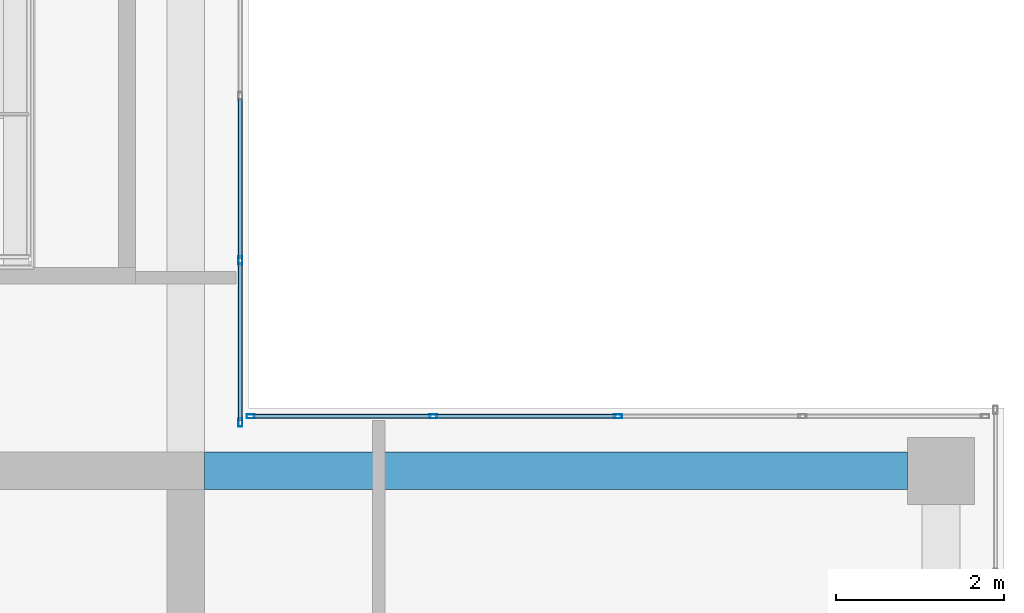
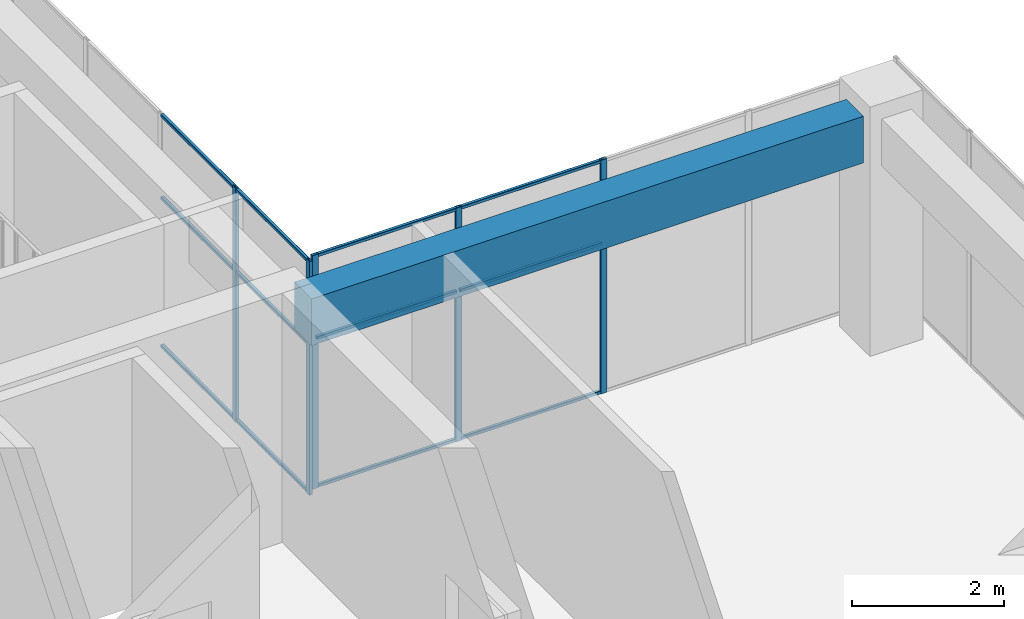
# One storey, part 30 of 55: 17 members, 1 beam, 2 elements without a shape of their own.
"""IFC4 building model written with IfcOpenShell, lengths in metres."""

from ifc_helpers import new_model, si_unit, direction, frame, origin, origin_2d, place, context, subcontext, project, spatial, rectangle, hollow_rectangle, extrude, material, layer, layer_set, material_profile, profile_set, type_object, element, aggregate, save


model = new_model("IFC4")

# Units and contexts
model_context = context("Model", 3, precision=1e-05, world=origin(), true_north=direction((0.0, 1.0)))
body_context = subcontext(model_context, "Body", "Model", "MODEL_VIEW")
ifc_project = project(units=[si_unit("LENGTHUNIT", "METRE"), si_unit("AREAUNIT", "SQUARE_METRE"), si_unit("VOLUMEUNIT", "CUBIC_METRE"), si_unit("PLANEANGLEUNIT", "RADIAN"), si_unit("MASSUNIT", "GRAM", prefix="KILO")], contexts=[model_context])

# Site, building, storey
site_placement = place(None, origin())
site = spatial("IfcSite", under=ifc_project, at=site_placement, CompositionType="ELEMENT")
building_placement = place(site_placement, origin())
building = spatial("IfcBuilding", under=site, at=building_placement, Name="Tuart Plaza Theatre", CompositionType="ELEMENT")
storey_placement = place(building_placement, frame((0.0, 0.0, 21.5)))
storey = spatial("IfcBuildingStorey", under=building, at=storey_placement, Name="L05", CompositionType="ELEMENT", Elevation=21.5)

# Beam
ifc_material_1 = material(Name="Concrete N40 (40 MPa)", Category="concrete")
ifc_material_profile_1 = material_profile(ifc_material_1, rectangle(XDim=0.449951171875, YDim=0.75, at=origin_2d()), Name="BEAM 450x750 Concrete N40 (40 MPa)")
ifc_profile_set_1 = profile_set([ifc_material_profile_1], Name="Concrete N40 (40 MPa)")
beam_type = type_object("IfcBeamType", Name="BEAM 450x750 Concrete N40 (40 MPa)", PredefinedType="BEAM", material=ifc_profile_set_1)
beam_placement = place(storey_placement, frame((141.22509765625, 83.0, 3.375), z_axis=(1.0, 0.0, 0.0), x_axis=(0.0, 1.0, 0.0)))
element("IfcBeam", 1, at=beam_placement, inside=storey, type_object=beam_type, Name="RB236", PredefinedType="BEAM", context=body_context, shape_type="SweptSolid", body=[
    extrude(rectangle(XDim=0.449951171875, YDim=0.75, at=origin_2d()), origin(), (0.0, 0.0, 1.0), 8.375),
])

# Curtain wall, members
ifc_material_2 = material(Name="Aluminium and glass", Category="aluminium")
ifc_layer = layer(ifc_material_2, 0.10009765625)
ifc_layer_set = layer_set([ifc_layer], Name="CURTAIN WALL 2000 module")
curtain_wall_type = type_object("IfcCurtainWallType", Name="CURTAIN WALL 2000 module", PredefinedType="NOTDEFINED", material=ifc_layer_set)
curtain_wall_1_placement = place(storey_placement, origin())
curtain_wall_1 = element("IfcCurtainWall", 2, at=curtain_wall_1_placement, inside=storey, type_object=curtain_wall_type, Name="CW79", PredefinedType="NOTDEFINED")
ifc_material_3 = material(Name="Aluminium 6063-T5", Category="aluminium")
ifc_material_profile_2 = material_profile(ifc_material_3, hollow_rectangle(XDim=0.050048828125, YDim=0.10009765625, WallThickness=0.00390625, InnerFilletRadius=0.00390625, OuterFilletRadius=0.008056640625, at=origin_2d()), Name="RHS 100x50x4")
ifc_profile_set_2 = profile_set([ifc_material_profile_2], Name="Aluminium 6063-T5")
member_type_1 = type_object("IfcMemberType", Name="MULLION RHS 100x50x4", PredefinedType="MULLION", material=ifc_profile_set_2)
member_1_placement = place(storey_placement, frame((146.14990234375, 83.64990234375, 0.0), z_axis=(0.0, 0.0, 1.0), x_axis=(0.0, -1.0, 0.0)))
member_1 = element("IfcMember", 3, at=member_1_placement, type_object=member_type_1, Name="CW79 mullion 3", PredefinedType="MULLION", context=body_context, shape_type="SweptSolid", body=[
    extrude(hollow_rectangle(XDim=0.050048828125, YDim=0.10009765625, WallThickness=0.00390625, InnerFilletRadius=0.00390625, OuterFilletRadius=0.008056640625, at=origin_2d()), origin(), (0.0, 0.0, 1.0), 3.75),
])
member_2_placement = place(storey_placement, frame((143.949951171875, 83.64990234375, 0.0), z_axis=(0.0, 0.0, 1.0), x_axis=(0.0, -1.0, 0.0)))
member_2 = element("IfcMember", 4, at=member_2_placement, type_object=member_type_1, Name="CW79 mullion 4", PredefinedType="MULLION", context=body_context, shape_type="SweptSolid", body=[
    extrude(hollow_rectangle(XDim=0.050048828125, YDim=0.10009765625, WallThickness=0.00390625, InnerFilletRadius=0.00390625, OuterFilletRadius=0.008056640625, at=origin_2d()), origin(), (0.0, 0.0, 1.0), 3.75),
])
member_3_placement = place(storey_placement, frame((141.77490234375, 83.64990234375, 0.0), z_axis=(0.0, 0.0, 1.0), x_axis=(0.0, -1.0, 0.0)))
member_3 = element("IfcMember", 5, at=member_3_placement, type_object=member_type_1, Name="CW79 mullion 5", PredefinedType="MULLION", context=body_context, shape_type="SweptSolid", body=[
    extrude(hollow_rectangle(XDim=0.050048828125, YDim=0.10009765625, WallThickness=0.00390625, InnerFilletRadius=0.00390625, OuterFilletRadius=0.008056640625, at=origin_2d()), origin(), (0.0, 0.0, 1.0), 3.75),
])

curtain_wall_2_placement = place(storey_placement, origin())
curtain_wall_2 = element("IfcCurtainWall", 6, at=curtain_wall_2_placement, inside=storey, type_object=curtain_wall_type, Name="CW81", PredefinedType="NOTDEFINED")
member_4_placement = place(storey_placement, frame((141.64990234375, 83.574951171875, 0.0), z_axis=(0.0, 0.0, 1.0), x_axis=(-1.0, 0.0, 0.0)))
member_4 = element("IfcMember", 7, at=member_4_placement, type_object=member_type_1, Name="CW81 mullion 1", PredefinedType="MULLION", context=body_context, shape_type="SweptSolid", body=[
    extrude(hollow_rectangle(XDim=0.050048828125, YDim=0.10009765625, WallThickness=0.00390625, InnerFilletRadius=0.00390625, OuterFilletRadius=0.008056640625, at=origin_2d()), origin(), (0.0, 0.0, 1.0), 3.75),
])
member_5_placement = place(storey_placement, frame((141.64990234375, 85.507080078125, 0.0), z_axis=(0.0, 0.0, 1.0), x_axis=(-1.0, 0.0, 0.0)))
member_5 = element("IfcMember", 8, at=member_5_placement, type_object=member_type_1, Name="CW81 mullion 2", PredefinedType="MULLION", context=body_context, shape_type="SweptSolid", body=[
    extrude(hollow_rectangle(XDim=0.050048828125, YDim=0.10009765625, WallThickness=0.00390625, InnerFilletRadius=0.00390625, OuterFilletRadius=0.008056640625, at=origin_2d()), origin(), (0.0, 0.0, 1.0), 3.75),
])

# Member
ifc_material_4 = material(Name="Aluminium 6063-T5", Category="aluminium")
ifc_material_profile_3 = material_profile(ifc_material_4, hollow_rectangle(XDim=0.050048828125, YDim=0.050048828125, WallThickness=0.00390625, InnerFilletRadius=0.00390625, OuterFilletRadius=0.008056640625, at=origin_2d()), Name="RHS 50x50x4")
ifc_profile_set_3 = profile_set([ifc_material_profile_3], Name="Aluminium 6063-T5")
member_type_2 = type_object("IfcMemberType", Name="TRANSOM RHS 50x50x4", PredefinedType="USERDEFINED", material=ifc_profile_set_3)
member_6_placement = place(storey_placement, frame((146.125, 83.64990234375, 0.02490234375), z_axis=(-1.0, 0.0, 0.0), x_axis=(0.0, -1.0, 0.0)))
member_6 = element("IfcMember", 9, at=member_6_placement, type_object=member_type_2, Name="CW79 transom 3.1", ObjectType="TRANSOM", PredefinedType="USERDEFINED", context=body_context, shape_type="SweptSolid", body=[
    extrude(hollow_rectangle(XDim=0.050048828125, YDim=0.050048828125, WallThickness=0.00390625, InnerFilletRadius=0.00390625, OuterFilletRadius=0.008056640625, at=origin_2d()), origin(), (0.0, 0.0, 1.0), 2.14990234375),
])

member_7_placement = place(storey_placement, frame((146.125, 83.64990234375, 2.39990234375), z_axis=(-1.0, 0.0, 0.0), x_axis=(0.0, -1.0, 0.0)))
member_7 = element("IfcMember", 10, at=member_7_placement, type_object=member_type_2, Name="CW79 transom 3.2", ObjectType="TRANSOM", PredefinedType="USERDEFINED", context=body_context, shape_type="SweptSolid", body=[
    extrude(hollow_rectangle(XDim=0.050048828125, YDim=0.050048828125, WallThickness=0.00390625, InnerFilletRadius=0.00390625, OuterFilletRadius=0.008056640625, at=origin_2d()), origin(), (0.0, 0.0, 1.0), 2.14990234375),
])

member_8_placement = place(storey_placement, frame((146.125, 83.64990234375, 3.72509765625), z_axis=(-1.0, 0.0, 0.0), x_axis=(0.0, -1.0, 0.0)))
member_8 = element("IfcMember", 11, at=member_8_placement, type_object=member_type_2, Name="CW79 transom 3.3", ObjectType="TRANSOM", PredefinedType="USERDEFINED", context=body_context, shape_type="SweptSolid", body=[
    extrude(hollow_rectangle(XDim=0.050048828125, YDim=0.050048828125, WallThickness=0.00390625, InnerFilletRadius=0.00390625, OuterFilletRadius=0.008056640625, at=origin_2d()), origin(), (0.0, 0.0, 1.0), 2.14990234375),
])

member_9_placement = place(storey_placement, frame((143.925048828125, 83.64990234375, 0.02490234375), z_axis=(-1.0, 0.0, 0.0), x_axis=(0.0, -1.0, 0.0)))
member_9 = element("IfcMember", 12, at=member_9_placement, type_object=member_type_2, Name="CW79 transom 4.1", ObjectType="TRANSOM", PredefinedType="USERDEFINED", context=body_context, shape_type="SweptSolid", body=[
    extrude(hollow_rectangle(XDim=0.050048828125, YDim=0.050048828125, WallThickness=0.00390625, InnerFilletRadius=0.00390625, OuterFilletRadius=0.008056640625, at=origin_2d()), origin(), (0.0, 0.0, 1.0), 2.125),
])

member_10_placement = place(storey_placement, frame((143.925048828125, 83.64990234375, 2.39990234375), z_axis=(-1.0, 0.0, 0.0), x_axis=(0.0, -1.0, 0.0)))
member_10 = element("IfcMember", 13, at=member_10_placement, type_object=member_type_2, Name="CW79 transom 4.2", ObjectType="TRANSOM", PredefinedType="USERDEFINED", context=body_context, shape_type="SweptSolid", body=[
    extrude(hollow_rectangle(XDim=0.050048828125, YDim=0.050048828125, WallThickness=0.00390625, InnerFilletRadius=0.00390625, OuterFilletRadius=0.008056640625, at=origin_2d()), origin(), (0.0, 0.0, 1.0), 2.125),
])

member_11_placement = place(storey_placement, frame((143.925048828125, 83.64990234375, 3.72509765625), z_axis=(-1.0, 0.0, 0.0), x_axis=(0.0, -1.0, 0.0)))
member_11 = element("IfcMember", 14, at=member_11_placement, type_object=member_type_2, Name="CW79 transom 4.3", ObjectType="TRANSOM", PredefinedType="USERDEFINED", context=body_context, shape_type="SweptSolid", body=[
    extrude(hollow_rectangle(XDim=0.050048828125, YDim=0.050048828125, WallThickness=0.00390625, InnerFilletRadius=0.00390625, OuterFilletRadius=0.008056640625, at=origin_2d()), origin(), (0.0, 0.0, 1.0), 2.125),
])

aggregate(curtain_wall_1, [member_1, member_2, member_3, member_6, member_7, member_8, member_9, member_10, member_11])

member_12_placement = place(storey_placement, frame((141.64990234375, 83.60009765625, 0.02490234375), z_axis=(0.0, 1.0, 0.0), x_axis=(-1.0, 0.0, 0.0)))
member_12 = element("IfcMember", 15, at=member_12_placement, type_object=member_type_2, Name="CW81 transom 1.1", ObjectType="TRANSOM", PredefinedType="USERDEFINED", context=body_context, shape_type="SweptSolid", body=[
    extrude(hollow_rectangle(XDim=0.050048828125, YDim=0.050048828125, WallThickness=0.00390625, InnerFilletRadius=0.00390625, OuterFilletRadius=0.008056640625, at=origin_2d()), origin(), (0.0, 0.0, 1.0), 1.882080078125),
])

member_13_placement = place(storey_placement, frame((141.64990234375, 83.60009765625, 2.39990234375), z_axis=(0.0, 1.0, 0.0), x_axis=(-1.0, 0.0, 0.0)))
member_13 = element("IfcMember", 16, at=member_13_placement, type_object=member_type_2, Name="CW81 transom 1.2", ObjectType="TRANSOM", PredefinedType="USERDEFINED", context=body_context, shape_type="SweptSolid", body=[
    extrude(hollow_rectangle(XDim=0.050048828125, YDim=0.050048828125, WallThickness=0.00390625, InnerFilletRadius=0.00390625, OuterFilletRadius=0.008056640625, at=origin_2d()), origin(), (0.0, 0.0, 1.0), 1.882080078125),
])

member_14_placement = place(storey_placement, frame((141.64990234375, 83.60009765625, 3.72509765625), z_axis=(0.0, 1.0, 0.0), x_axis=(-1.0, 0.0, 0.0)))
member_14 = element("IfcMember", 17, at=member_14_placement, type_object=member_type_2, Name="CW81 transom 1.3", ObjectType="TRANSOM", PredefinedType="USERDEFINED", context=body_context, shape_type="SweptSolid", body=[
    extrude(hollow_rectangle(XDim=0.050048828125, YDim=0.050048828125, WallThickness=0.00390625, InnerFilletRadius=0.00390625, OuterFilletRadius=0.008056640625, at=origin_2d()), origin(), (0.0, 0.0, 1.0), 1.882080078125),
])

member_15_placement = place(storey_placement, frame((141.64990234375, 85.5322265625, 0.02490234375), z_axis=(0.0, 1.0, 0.0), x_axis=(-1.0, 0.0, 0.0)))
member_15 = element("IfcMember", 18, at=member_15_placement, type_object=member_type_2, Name="CW81 transom 2.1", ObjectType="TRANSOM", PredefinedType="USERDEFINED", context=body_context, shape_type="SweptSolid", body=[
    extrude(hollow_rectangle(XDim=0.050048828125, YDim=0.050048828125, WallThickness=0.00390625, InnerFilletRadius=0.00390625, OuterFilletRadius=0.008056640625, at=origin_2d()), origin(), (0.0, 0.0, 1.0), 1.906982421875),
])

member_16_placement = place(storey_placement, frame((141.64990234375, 85.5322265625, 2.39990234375), z_axis=(0.0, 1.0, 0.0), x_axis=(-1.0, 0.0, 0.0)))
member_16 = element("IfcMember", 19, at=member_16_placement, type_object=member_type_2, Name="CW81 transom 2.2", ObjectType="TRANSOM", PredefinedType="USERDEFINED", context=body_context, shape_type="SweptSolid", body=[
    extrude(hollow_rectangle(XDim=0.050048828125, YDim=0.050048828125, WallThickness=0.00390625, InnerFilletRadius=0.00390625, OuterFilletRadius=0.008056640625, at=origin_2d()), origin(), (0.0, 0.0, 1.0), 1.906982421875),
])

member_17_placement = place(storey_placement, frame((141.64990234375, 85.5322265625, 3.72509765625), z_axis=(0.0, 1.0, 0.0), x_axis=(-1.0, 0.0, 0.0)))
member_17 = element("IfcMember", 20, at=member_17_placement, type_object=member_type_2, Name="CW81 transom 2.3", ObjectType="TRANSOM", PredefinedType="USERDEFINED", context=body_context, shape_type="SweptSolid", body=[
    extrude(hollow_rectangle(XDim=0.050048828125, YDim=0.050048828125, WallThickness=0.00390625, InnerFilletRadius=0.00390625, OuterFilletRadius=0.008056640625, at=origin_2d()), origin(), (0.0, 0.0, 1.0), 1.906982421875),
])

aggregate(curtain_wall_2, [member_4, member_5, member_12, member_13, member_14, member_15, member_16, member_17])

save(model, "model.ifc")
